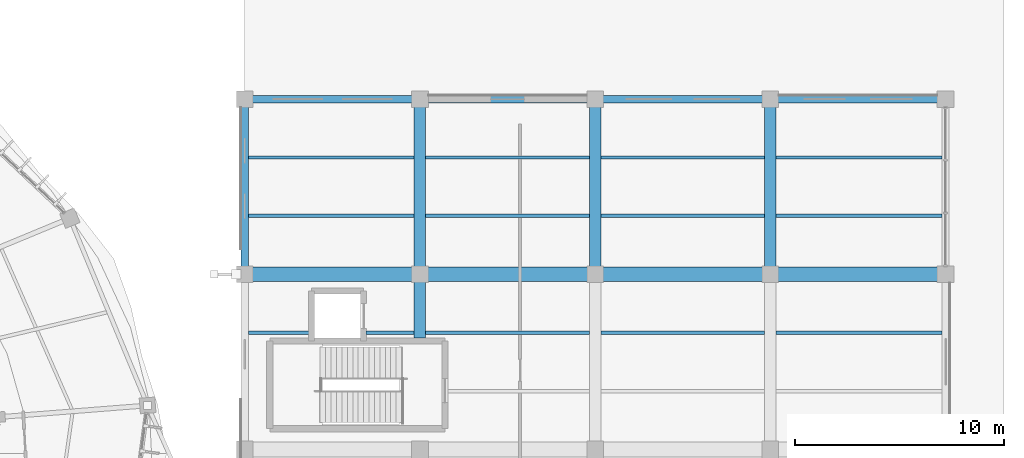
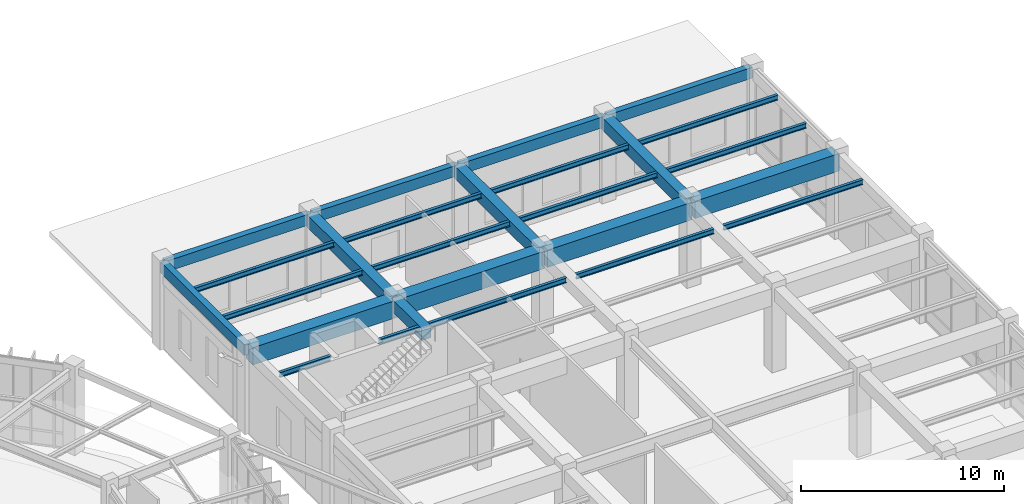
# One storey, part 109 of 157: 26 beams.
"""IFC4 building model written with IfcOpenShell, lengths in metres."""

from ifc_helpers import new_model, si_unit, direction, frame, origin, origin_2d, place, context, subcontext, project, spatial, rectangle, i_section, extrude, material, material_profile, profile_set, type_object, element, save


model = new_model("IFC4")

# Units and contexts
model_context = context("Model", 3, precision=1e-05, world=origin(), true_north=direction((0.0, 1.0)))
body_context = subcontext(model_context, "Body", "Model", "MODEL_VIEW")
ifc_project = project(units=[si_unit("LENGTHUNIT", "METRE"), si_unit("AREAUNIT", "SQUARE_METRE"), si_unit("VOLUMEUNIT", "CUBIC_METRE"), si_unit("PLANEANGLEUNIT", "RADIAN"), si_unit("MASSUNIT", "GRAM", prefix="KILO"), si_unit("THERMODYNAMICTEMPERATUREUNIT", "KELVIN"), si_unit("POWERUNIT", "WATT")], contexts=[model_context])

# Site, building, storey
site_placement = place(None, origin())
site = spatial("IfcSite", under=ifc_project, at=site_placement, CompositionType="ELEMENT")
building_placement = place(site_placement, origin())
building = spatial("IfcBuilding", under=site, at=building_placement, Name="Darbajah Civic Hall", CompositionType="ELEMENT")
storey_placement = place(building_placement, origin())
storey = spatial("IfcBuildingStorey", under=building, at=storey_placement, Name="L00", CompositionType="ELEMENT", Elevation=0.0)

# Beams
ifc_material_1 = material(Name="Concrete C45/55", Category="concrete")
ifc_material_profile_1 = material_profile(ifc_material_1, rectangle(XDim=0.550048828125, YDim=0.75, at=origin_2d()), Name="RC BEAM 550x750")
ifc_profile_set_1 = profile_set([ifc_material_profile_1], Name="Concrete C45/55")
beam_type_1 = type_object("IfcBeamType", Name="RC BEAM 550x750", PredefinedType="BEAM", material=ifc_profile_set_1)
beam_1_placement = place(storey_placement, frame((153.0, 95.340087890625, 4.68505859375), z_axis=(0.0, 1.0, 0.0), x_axis=(-1.0, 0.0, 0.0)))
element("IfcBeam", 1, at=beam_1_placement, inside=storey, type_object=beam_type_1, Name="L00 beam BM-5575", PredefinedType="BEAM", context=body_context, shape_type="SweptSolid", body=[
    extrude(rectangle(XDim=0.550048828125, YDim=0.75, at=origin_2d()), origin(), (0.0, 0.0, 1.0), 2.97998046875),
])
for number, where, z_axis, x_axis, name in (
    (2, (153.0, 98.47998046875, 4.68505859375), (0.0, 1.0, 0.0), (-1.0, 0.0, 0.0), "L00 beam BM-5575"),
    (3, (161.39990234375, 98.47998046875, 4.68505859375), (0.0, 1.0, 0.0), (-1.0, 0.0, 0.0), "L00 beam BM-5575"),
    (4, (169.800048828125, 98.47998046875, 4.68505859375), (0.0, 1.0, 0.0), (-1.0, 0.0, 0.0), "L00 beam BM-5575"),
):
    element("IfcBeam", number, at=place(storey_placement, frame(where, z_axis=z_axis, x_axis=x_axis)), inside=storey, type_object=beam_type_1, Name=name, PredefinedType="BEAM", context=body_context, shape_type="SweptSolid", body=[
        extrude(rectangle(XDim=0.550048828125, YDim=0.75, at=origin_2d()), origin(), (0.0, 0.0, 1.0), 8.239990234375),
    ])
ifc_material_2 = material(Name="Concrete C50/60", Category="concrete")
ifc_material_profile_2 = material_profile(ifc_material_2, rectangle(XDim=0.699951171875, YDim=1.050048828125, at=origin_2d()), Name="RC GIRDER 700x1050")
ifc_profile_set_2 = profile_set([ifc_material_profile_2], Name="Concrete C50/60")
beam_type_2 = type_object("IfcBeamType", Name="RC GIRDER 700x1050", PredefinedType="BEAM", material=ifc_profile_set_2)
for number, where, z_axis, x_axis, name in (
    (5, (144.679931640625, 98.39990234375, 4.534912109375), (1.0, 0.0, 0.0), (0.0, 1.0, 0.0), "L00 beam BG-7010"),
    (6, (153.080078125, 98.39990234375, 4.534912109375), (1.0, 0.0, 0.0), (0.0, 1.0, 0.0), "L00 beam BG-7010"),
    (7, (161.47998046875, 98.39990234375, 4.534912109375), (1.0, 0.0, 0.0), (0.0, 1.0, 0.0), "L00 beam BG-7010"),
):
    element("IfcBeam", number, at=place(storey_placement, frame(where, z_axis=z_axis, x_axis=x_axis)), inside=storey, type_object=beam_type_2, Name=name, PredefinedType="BEAM", context=body_context, shape_type="SweptSolid", body=[
        extrude(rectangle(XDim=0.699951171875, YDim=1.050048828125, at=origin_2d()), origin(), (0.0, 0.0, 1.0), 8.239990234375),
    ])
beam_2_placement = place(storey_placement, frame((169.8798828125, 98.39990234375, 4.534912109375), z_axis=(1.0, 0.0, 0.0), x_axis=(0.0, 1.0, 0.0)))
element("IfcBeam", 8, at=beam_2_placement, inside=storey, type_object=beam_type_2, Name="L00 beam BG-7010", PredefinedType="BEAM", context=body_context, shape_type="SweptSolid", body=[
    extrude(rectangle(XDim=0.699951171875, YDim=1.050048828125, at=origin_2d()), origin(), (0.0, 0.0, 1.0), 8.240234375),
])
ifc_material_profile_3 = material_profile(ifc_material_1, rectangle(XDim=0.35009765625, YDim=0.64990234375, at=origin_2d()), Name="RC SPANDREL 350x650")
ifc_profile_set_3 = profile_set([ifc_material_profile_3], Name="Concrete C45/55")
beam_type_3 = type_object("IfcBeamType", Name="RC SPANDREL 350x650", PredefinedType="SPANDREL", material=ifc_profile_set_3)
for number, where, z_axis, x_axis, name in (
    (9, (144.679931640625, 106.800048828125, 4.735107421875), (1.0, 0.0, 0.0), (0.0, 1.0, 0.0), "L00 beam SP-3565"),
    (10, (153.080078125, 106.800048828125, 4.735107421875), (1.0, 0.0, 0.0), (0.0, 1.0, 0.0), "L00 beam SP-3565"),
    (11, (161.47998046875, 106.800048828125, 4.735107421875), (1.0, 0.0, 0.0), (0.0, 1.0, 0.0), "L00 beam SP-3565"),
):
    element("IfcBeam", number, at=place(storey_placement, frame(where, z_axis=z_axis, x_axis=x_axis)), inside=storey, type_object=beam_type_3, Name=name, PredefinedType="SPANDREL", context=body_context, shape_type="SweptSolid", body=[
        extrude(rectangle(XDim=0.35009765625, YDim=0.64990234375, at=origin_2d()), origin(), (0.0, 0.0, 1.0), 8.239990234375),
    ])
beam_3_placement = place(storey_placement, frame((169.8798828125, 106.800048828125, 4.735107421875), z_axis=(1.0, 0.0, 0.0), x_axis=(0.0, 1.0, 0.0)))
element("IfcBeam", 12, at=beam_3_placement, inside=storey, type_object=beam_type_3, Name="L00 beam SP-3565", PredefinedType="SPANDREL", context=body_context, shape_type="SweptSolid", body=[
    extrude(rectangle(XDim=0.35009765625, YDim=0.64990234375, at=origin_2d()), origin(), (0.0, 0.0, 1.0), 8.240234375),
])
beam_4_placement = place(storey_placement, frame((144.60009765625, 98.47998046875, 4.735107421875), z_axis=(0.0, 1.0, 0.0), x_axis=(-1.0, 0.0, 0.0)))
element("IfcBeam", 13, at=beam_4_placement, inside=storey, type_object=beam_type_3, Name="L00 beam SP-3565", PredefinedType="SPANDREL", context=body_context, shape_type="SweptSolid", body=[
    extrude(rectangle(XDim=0.35009765625, YDim=0.64990234375, at=origin_2d()), origin(), (0.0, 0.0, 1.0), 8.239990234375),
])
ifc_material_3 = material(Name="Steel S355JR", Category="steel")
ifc_material_profile_4 = material_profile(ifc_material_3, i_section(OverallWidth=0.165771484375, OverallDepth=0.306640625, WebThickness=0.006591796875, FlangeThickness=0.01171875, FilletRadius=0.0087890625, at=origin_2d()), Name="UB 305x165x46")
ifc_profile_set_4 = profile_set([ifc_material_profile_4], Name="Steel S355JR")
beam_type_4 = type_object("IfcBeamType", Name="UB 305x165x46", PredefinedType="JOIST", material=ifc_profile_set_4)
beam_5_placement = place(storey_placement, frame((144.77490234375, 95.60009765625, 4.90673828125), z_axis=(1.0, 0.0, 0.0), x_axis=(0.0, 1.0, 0.0)))
element("IfcBeam", 14, at=beam_5_placement, inside=storey, type_object=beam_type_4, Name="L00 beam SJ-305", PredefinedType="JOIST", context=body_context, shape_type="SweptSolid", body=[
    extrude(i_section(OverallWidth=0.165771484375, OverallDepth=0.306640625, WebThickness=0.006591796875, FlangeThickness=0.01171875, FilletRadius=0.0087890625, at=origin_2d()), origin(), (0.0, 0.0, 1.0), 2.905029296875),
])
beam_6_placement = place(storey_placement, frame((150.419921875, 95.60009765625, 4.90673828125), z_axis=(1.0, 0.0, 0.0), x_axis=(0.0, 1.0, 0.0)))
element("IfcBeam", 15, at=beam_6_placement, inside=storey, type_object=beam_type_4, Name="L00 beam SJ-305", PredefinedType="JOIST", context=body_context, shape_type="SweptSolid", body=[
    extrude(i_section(OverallWidth=0.165771484375, OverallDepth=0.306640625, WebThickness=0.006591796875, FlangeThickness=0.01171875, FilletRadius=0.0087890625, at=origin_2d()), origin(), (0.0, 0.0, 1.0), 2.30517578125),
])
for number, where, z_axis, x_axis, name in (
    (16, (144.77490234375, 101.199951171875, 4.90673828125), (1.0, 0.0, 0.0), (0.0, 1.0, 0.0), "L00 beam SJ-305"),
    (17, (144.77490234375, 104.0, 4.90673828125), (1.0, 0.0, 0.0), (0.0, 1.0, 0.0), "L00 beam SJ-305"),
):
    element("IfcBeam", number, at=place(storey_placement, frame(where, z_axis=z_axis, x_axis=x_axis)), inside=storey, type_object=beam_type_4, Name=name, PredefinedType="JOIST", context=body_context, shape_type="SweptSolid", body=[
        extrude(i_section(OverallWidth=0.165771484375, OverallDepth=0.306640625, WebThickness=0.006591796875, FlangeThickness=0.01171875, FilletRadius=0.0087890625, at=origin_2d()), origin(), (0.0, 0.0, 1.0), 7.9501953125),
    ])
for number, where, z_axis, x_axis, name in (
    (18, (153.27490234375, 95.60009765625, 4.90673828125), (1.0, 0.0, 0.0), (0.0, 1.0, 0.0), "L00 beam SJ-305"),
    (19, (153.27490234375, 101.199951171875, 4.90673828125), (1.0, 0.0, 0.0), (0.0, 1.0, 0.0), "L00 beam SJ-305"),
    (20, (153.27490234375, 104.0, 4.90673828125), (1.0, 0.0, 0.0), (0.0, 1.0, 0.0), "L00 beam SJ-305"),
):
    element("IfcBeam", number, at=place(storey_placement, frame(where, z_axis=z_axis, x_axis=x_axis)), inside=storey, type_object=beam_type_4, Name=name, PredefinedType="JOIST", context=body_context, shape_type="SweptSolid", body=[
        extrude(i_section(OverallWidth=0.165771484375, OverallDepth=0.306640625, WebThickness=0.006591796875, FlangeThickness=0.01171875, FilletRadius=0.0087890625, at=origin_2d()), origin(), (0.0, 0.0, 1.0), 7.85009765625),
    ])
for number, where, z_axis, x_axis, name in (
    (21, (161.675048828125, 95.60009765625, 4.90673828125), (1.0, 0.0, 0.0), (0.0, 1.0, 0.0), "L00 beam SJ-305"),
    (22, (161.675048828125, 101.199951171875, 4.90673828125), (1.0, 0.0, 0.0), (0.0, 1.0, 0.0), "L00 beam SJ-305"),
    (23, (161.675048828125, 104.0, 4.90673828125), (1.0, 0.0, 0.0), (0.0, 1.0, 0.0), "L00 beam SJ-305"),
):
    element("IfcBeam", number, at=place(storey_placement, frame(where, z_axis=z_axis, x_axis=x_axis)), inside=storey, type_object=beam_type_4, Name=name, PredefinedType="JOIST", context=body_context, shape_type="SweptSolid", body=[
        extrude(i_section(OverallWidth=0.165771484375, OverallDepth=0.306640625, WebThickness=0.006591796875, FlangeThickness=0.01171875, FilletRadius=0.0087890625, at=origin_2d()), origin(), (0.0, 0.0, 1.0), 7.849853515625),
    ])
for number, where, z_axis, x_axis, name in (
    (24, (170.074951171875, 95.60009765625, 4.90673828125), (1.0, 0.0, 0.0), (0.0, 1.0, 0.0), "L00 beam SJ-305"),
    (25, (170.074951171875, 101.199951171875, 4.90673828125), (1.0, 0.0, 0.0), (0.0, 1.0, 0.0), "L00 beam SJ-305"),
    (26, (170.074951171875, 104.0, 4.90673828125), (1.0, 0.0, 0.0), (0.0, 1.0, 0.0), "L00 beam SJ-305"),
):
    element("IfcBeam", number, at=place(storey_placement, frame(where, z_axis=z_axis, x_axis=x_axis)), inside=storey, type_object=beam_type_4, Name=name, PredefinedType="JOIST", context=body_context, shape_type="SweptSolid", body=[
        extrude(i_section(OverallWidth=0.165771484375, OverallDepth=0.306640625, WebThickness=0.006591796875, FlangeThickness=0.01171875, FilletRadius=0.0087890625, at=origin_2d()), origin(), (0.0, 0.0, 1.0), 7.949951171875),
    ])

save(model, "model.ifc")
